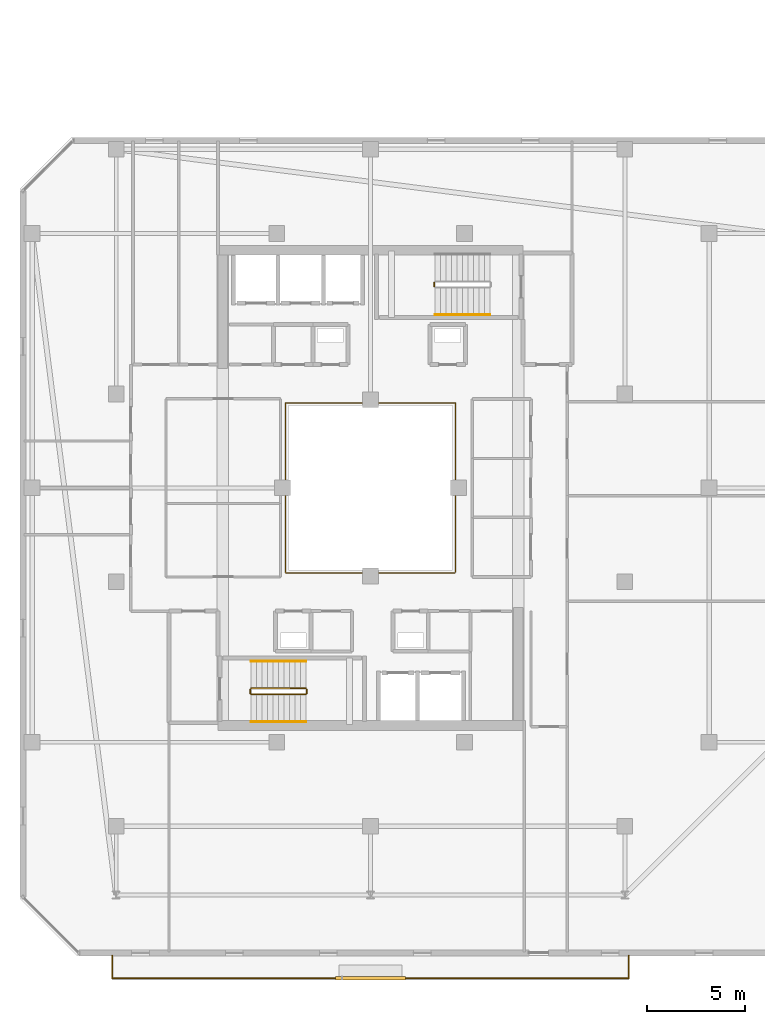
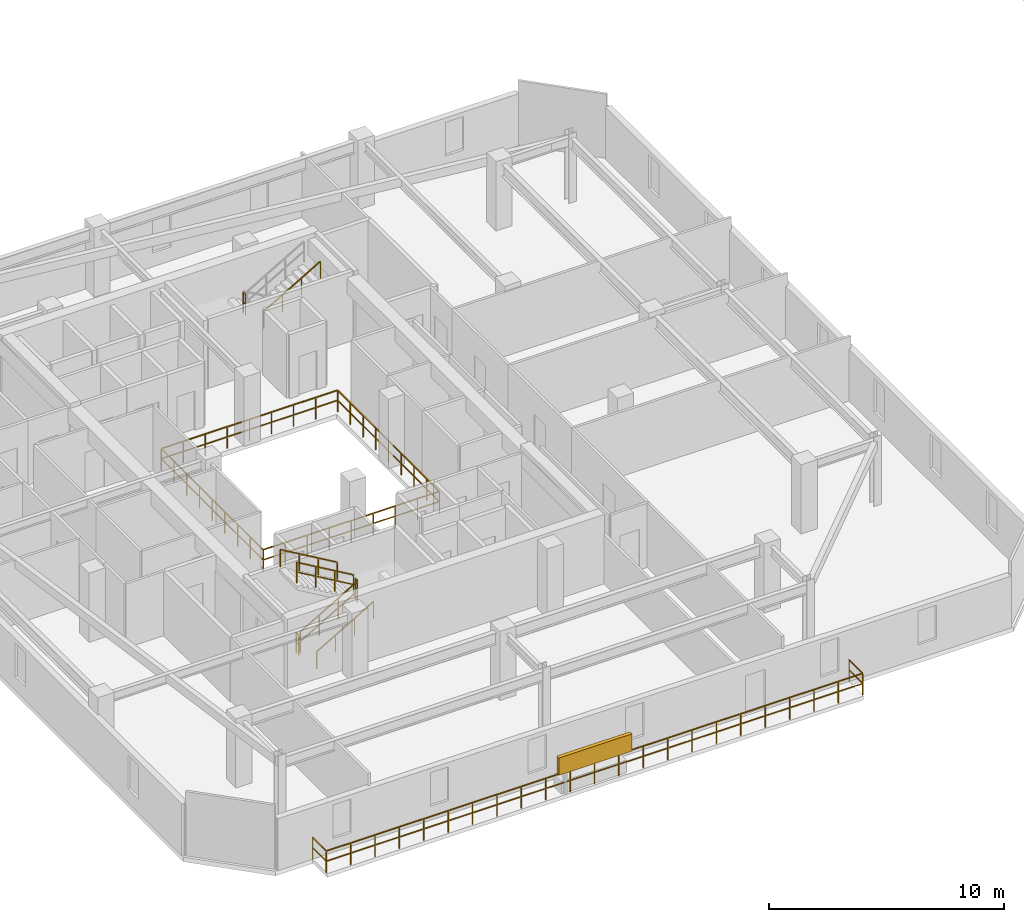
# One storey, part 32 of 35: 10 railings, 1 shading device.
"""IFC4 building model written with IfcOpenShell, lengths in metres."""

from ifc_helpers import new_model, si_unit, direction, frame, origin, origin_2d, place, context, subcontext, project, spatial, rectangle, extrude, material, type_object, element, save


model = new_model("IFC4")

# Units and contexts
model_context = context("Model", 3, precision=1e-05, world=origin(), true_north=direction((0.0, 1.0)))
body_context = subcontext(model_context, "Body", "Model", "MODEL_VIEW")
ifc_project = project(units=[si_unit("LENGTHUNIT", "METRE"), si_unit("AREAUNIT", "SQUARE_METRE"), si_unit("VOLUMEUNIT", "CUBIC_METRE"), si_unit("PLANEANGLEUNIT", "RADIAN"), si_unit("MASSUNIT", "GRAM", prefix="KILO")], contexts=[model_context])

# Site, building, storey
site_placement = place(None, origin())
site = spatial("IfcSite", under=ifc_project, at=site_placement, CompositionType="ELEMENT")
building_placement = place(site_placement, origin())
building = spatial("IfcBuilding", under=site, at=building_placement, Name="Thornwick Lancets Civic Towers", CompositionType="ELEMENT")
storey_placement = place(building_placement, frame((0.0, 0.0, 272.699951171875)))
storey = spatial("IfcBuildingStorey", under=building, at=storey_placement, Name="L73", CompositionType="ELEMENT", Elevation=272.699951171875)

# Railings
ifc_material_1 = material(Name="Laminated glass and bronze steel S355", Category="steel")
railing_type_1 = type_object("IfcRailingType", Name="RAIL_ATRIUM_GUARD", PredefinedType="BALUSTRADE", material=ifc_material_1)
railing_1_placement = place(storey_placement, frame((21.159912109375, 22.659912109375, 0.0)))
element("IfcRailing", 1, at=railing_1_placement, inside=storey, type_object=railing_type_1, Name="L73 Tower A Central Atrium Guard Balustrade", PredefinedType="BALUSTRADE", context=body_context, shape_type="SweptSolid", body=[
    extrude(rectangle(XDim=0.048095703125, YDim=0.048095703125, at=origin_2d()), frame((0.0, 0.0, 1.1259765625), z_axis=(1.0, 0.0, 0.0), x_axis=(0.0, 1.0, 0.0)), (0.0, 0.0, 1.0), 8.64892578125),
    extrude(rectangle(XDim=0.0419921875, YDim=0.0419921875, at=origin_2d()), frame((0.03759765625, 0.0, 0.597900390625), z_axis=(1.0, 0.0, 0.0), x_axis=(0.0, 1.0, 0.0)), (0.0, 0.0, 1.0), 1.010009765625),
    extrude(rectangle(XDim=0.0419921875, YDim=0.0419921875, at=origin_2d()), frame((1.12255859375, 0.0, 0.597900390625), z_axis=(1.0, 0.0, 0.0), x_axis=(0.0, 1.0, 0.0)), (0.0, 0.0, 1.0), 1.010009765625),
    extrude(rectangle(XDim=0.0419921875, YDim=0.0419921875, at=origin_2d()), frame((2.20751953125, 0.0, 0.597900390625), z_axis=(1.0, 0.0, 0.0), x_axis=(0.0, 1.0, 0.0)), (0.0, 0.0, 1.0), 1.010009765625),
    extrude(rectangle(XDim=0.0419921875, YDim=0.0419921875, at=origin_2d()), frame((3.29248046875, 0.0, 0.597900390625), z_axis=(1.0, 0.0, 0.0), x_axis=(0.0, 1.0, 0.0)), (0.0, 0.0, 1.0), 1.010009765625),
    extrude(rectangle(XDim=0.0419921875, YDim=0.0419921875, at=origin_2d()), frame((4.377685546875, 0.0, 0.597900390625), z_axis=(1.0, 0.0, 0.0), x_axis=(0.0, 1.0, 0.0)), (0.0, 0.0, 1.0), 1.010009765625),
    extrude(rectangle(XDim=0.0419921875, YDim=0.0419921875, at=origin_2d()), frame((5.462646484375, 0.0, 0.597900390625), z_axis=(1.0, 0.0, 0.0), x_axis=(0.0, 1.0, 0.0)), (0.0, 0.0, 1.0), 1.010009765625),
    extrude(rectangle(XDim=0.0419921875, YDim=0.0419921875, at=origin_2d()), frame((6.547607421875, 0.0, 0.597900390625), z_axis=(1.0, 0.0, 0.0), x_axis=(0.0, 1.0, 0.0)), (0.0, 0.0, 1.0), 1.010009765625),
    extrude(rectangle(XDim=0.0419921875, YDim=0.0419921875, at=origin_2d()), frame((7.632568359375, 0.0, 0.597900390625), z_axis=(1.0, 0.0, 0.0), x_axis=(0.0, 1.0, 0.0)), (0.0, 0.0, 1.0), 1.010009765625),
    extrude(rectangle(XDim=0.048095703125, YDim=0.048095703125, at=origin_2d()), frame((8.68017578125, 0.03125, 1.1259765625), z_axis=(0.0, 1.0, 0.0), x_axis=(-1.0, 0.0, 0.0)), (0.0, 0.0, 1.0), 8.61767578125),
    extrude(rectangle(XDim=0.0419921875, YDim=0.0419921875, at=origin_2d()), frame((8.68017578125, 0.03759765625, 0.597900390625), z_axis=(0.0, 1.0, 0.0), x_axis=(-1.0, 0.0, 0.0)), (0.0, 0.0, 1.0), 1.010009765625),
    extrude(rectangle(XDim=0.0419921875, YDim=0.0419921875, at=origin_2d()), frame((8.68017578125, 1.12255859375, 0.597900390625), z_axis=(0.0, 1.0, 0.0), x_axis=(-1.0, 0.0, 0.0)), (0.0, 0.0, 1.0), 1.010009765625),
    extrude(rectangle(XDim=0.0419921875, YDim=0.0419921875, at=origin_2d()), frame((8.68017578125, 2.20751953125, 0.597900390625), z_axis=(0.0, 1.0, 0.0), x_axis=(-1.0, 0.0, 0.0)), (0.0, 0.0, 1.0), 1.010009765625),
    extrude(rectangle(XDim=0.0419921875, YDim=0.0419921875, at=origin_2d()), frame((8.68017578125, 3.29248046875, 0.597900390625), z_axis=(0.0, 1.0, 0.0), x_axis=(-1.0, 0.0, 0.0)), (0.0, 0.0, 1.0), 1.010009765625),
    extrude(rectangle(XDim=0.0419921875, YDim=0.0419921875, at=origin_2d()), frame((8.68017578125, 4.377685546875, 0.597900390625), z_axis=(0.0, 1.0, 0.0), x_axis=(-1.0, 0.0, 0.0)), (0.0, 0.0, 1.0), 1.010009765625),
    extrude(rectangle(XDim=0.0419921875, YDim=0.0419921875, at=origin_2d()), frame((8.68017578125, 5.462646484375, 0.597900390625), z_axis=(0.0, 1.0, 0.0), x_axis=(-1.0, 0.0, 0.0)), (0.0, 0.0, 1.0), 1.010009765625),
    extrude(rectangle(XDim=0.0419921875, YDim=0.0419921875, at=origin_2d()), frame((8.68017578125, 6.547607421875, 0.597900390625), z_axis=(0.0, 1.0, 0.0), x_axis=(-1.0, 0.0, 0.0)), (0.0, 0.0, 1.0), 1.010009765625),
    extrude(rectangle(XDim=0.0419921875, YDim=0.0419921875, at=origin_2d()), frame((8.68017578125, 7.632568359375, 0.597900390625), z_axis=(0.0, 1.0, 0.0), x_axis=(-1.0, 0.0, 0.0)), (0.0, 0.0, 1.0), 1.010009765625),
    extrude(rectangle(XDim=0.048095703125, YDim=0.048095703125, at=origin_2d()), frame((8.64892578125, 8.68017578125, 1.1259765625), z_axis=(-1.0, 0.0, 0.0), x_axis=(0.0, -1.0, 0.0)), (0.0, 0.0, 1.0), 8.61767578125),
    extrude(rectangle(XDim=0.0419921875, YDim=0.0419921875, at=origin_2d()), frame((8.642578125, 8.68017578125, 0.597900390625), z_axis=(-1.0, 0.0, 0.0), x_axis=(0.0, -1.0, 0.0)), (0.0, 0.0, 1.0), 1.010009765625),
    extrude(rectangle(XDim=0.0419921875, YDim=0.0419921875, at=origin_2d()), frame((7.5576171875, 8.68017578125, 0.597900390625), z_axis=(-1.0, 0.0, 0.0), x_axis=(0.0, -1.0, 0.0)), (0.0, 0.0, 1.0), 1.010009765625),
    extrude(rectangle(XDim=0.0419921875, YDim=0.0419921875, at=origin_2d()), frame((6.47265625, 8.68017578125, 0.597900390625), z_axis=(-1.0, 0.0, 0.0), x_axis=(0.0, -1.0, 0.0)), (0.0, 0.0, 1.0), 1.010009765625),
    extrude(rectangle(XDim=0.0419921875, YDim=0.0419921875, at=origin_2d()), frame((5.3876953125, 8.68017578125, 0.597900390625), z_axis=(-1.0, 0.0, 0.0), x_axis=(0.0, -1.0, 0.0)), (0.0, 0.0, 1.0), 1.010009765625),
    extrude(rectangle(XDim=0.0419921875, YDim=0.0419921875, at=origin_2d()), frame((4.302490234375, 8.68017578125, 0.597900390625), z_axis=(-1.0, 0.0, 0.0), x_axis=(0.0, -1.0, 0.0)), (0.0, 0.0, 1.0), 1.010009765625),
    extrude(rectangle(XDim=0.0419921875, YDim=0.0419921875, at=origin_2d()), frame((3.217529296875, 8.68017578125, 0.597900390625), z_axis=(-1.0, 0.0, 0.0), x_axis=(0.0, -1.0, 0.0)), (0.0, 0.0, 1.0), 1.010009765625),
    extrude(rectangle(XDim=0.0419921875, YDim=0.0419921875, at=origin_2d()), frame((2.132568359375, 8.68017578125, 0.597900390625), z_axis=(-1.0, 0.0, 0.0), x_axis=(0.0, -1.0, 0.0)), (0.0, 0.0, 1.0), 1.010009765625),
    extrude(rectangle(XDim=0.0419921875, YDim=0.0419921875, at=origin_2d()), frame((1.047607421875, 8.68017578125, 0.597900390625), z_axis=(-1.0, 0.0, 0.0), x_axis=(0.0, -1.0, 0.0)), (0.0, 0.0, 1.0), 1.010009765625),
    extrude(rectangle(XDim=0.048095703125, YDim=0.048095703125, at=origin_2d()), frame((0.0, 8.64892578125, 1.1259765625), z_axis=(0.0, -1.0, 0.0), x_axis=(1.0, 0.0, 0.0)), (0.0, 0.0, 1.0), 8.64892578125),
    extrude(rectangle(XDim=0.0419921875, YDim=0.0419921875, at=origin_2d()), frame((0.0, 8.642578125, 0.597900390625), z_axis=(0.0, -1.0, 0.0), x_axis=(1.0, 0.0, 0.0)), (0.0, 0.0, 1.0), 1.010009765625),
    extrude(rectangle(XDim=0.0419921875, YDim=0.0419921875, at=origin_2d()), frame((0.0, 7.5576171875, 0.597900390625), z_axis=(0.0, -1.0, 0.0), x_axis=(1.0, 0.0, 0.0)), (0.0, 0.0, 1.0), 1.010009765625),
    extrude(rectangle(XDim=0.0419921875, YDim=0.0419921875, at=origin_2d()), frame((0.0, 6.47265625, 0.597900390625), z_axis=(0.0, -1.0, 0.0), x_axis=(1.0, 0.0, 0.0)), (0.0, 0.0, 1.0), 1.010009765625),
    extrude(rectangle(XDim=0.0419921875, YDim=0.0419921875, at=origin_2d()), frame((0.0, 5.3876953125, 0.597900390625), z_axis=(0.0, -1.0, 0.0), x_axis=(1.0, 0.0, 0.0)), (0.0, 0.0, 1.0), 1.010009765625),
    extrude(rectangle(XDim=0.0419921875, YDim=0.0419921875, at=origin_2d()), frame((0.0, 4.302490234375, 0.597900390625), z_axis=(0.0, -1.0, 0.0), x_axis=(1.0, 0.0, 0.0)), (0.0, 0.0, 1.0), 1.010009765625),
    extrude(rectangle(XDim=0.0419921875, YDim=0.0419921875, at=origin_2d()), frame((0.0, 3.217529296875, 0.597900390625), z_axis=(0.0, -1.0, 0.0), x_axis=(1.0, 0.0, 0.0)), (0.0, 0.0, 1.0), 1.010009765625),
    extrude(rectangle(XDim=0.0419921875, YDim=0.0419921875, at=origin_2d()), frame((0.0, 2.132568359375, 0.597900390625), z_axis=(0.0, -1.0, 0.0), x_axis=(1.0, 0.0, 0.0)), (0.0, 0.0, 1.0), 1.010009765625),
    extrude(rectangle(XDim=0.0419921875, YDim=0.0419921875, at=origin_2d()), frame((0.0, 1.047607421875, 0.597900390625), z_axis=(0.0, -1.0, 0.0), x_axis=(1.0, 0.0, 0.0)), (0.0, 0.0, 1.0), 1.010009765625),
    extrude(rectangle(XDim=0.0419921875, YDim=0.0419921875, at=origin_2d()), origin(), (0.0, 0.0, 1.0), 1.095703125),
    extrude(rectangle(XDim=0.0419921875, YDim=0.0419921875, at=origin_2d()), frame((1.0849609375, 0.0, 0.0)), (0.0, 0.0, 1.0), 1.095703125),
    extrude(rectangle(XDim=0.0419921875, YDim=0.0419921875, at=origin_2d()), frame((2.169921875, 0.0, 0.0)), (0.0, 0.0, 1.0), 1.095703125),
    extrude(rectangle(XDim=0.0419921875, YDim=0.0419921875, at=origin_2d()), frame((3.255126953125, 0.0, 0.0)), (0.0, 0.0, 1.0), 1.095703125),
    extrude(rectangle(XDim=0.0419921875, YDim=0.0419921875, at=origin_2d()), frame((4.340087890625, 0.0, 0.0)), (0.0, 0.0, 1.0), 1.095703125),
    extrude(rectangle(XDim=0.0419921875, YDim=0.0419921875, at=origin_2d()), frame((5.425048828125, 0.0, 0.0)), (0.0, 0.0, 1.0), 1.095703125),
    extrude(rectangle(XDim=0.0419921875, YDim=0.0419921875, at=origin_2d()), frame((6.51025390625, 0.0, 0.0)), (0.0, 0.0, 1.0), 1.095703125),
    extrude(rectangle(XDim=0.0419921875, YDim=0.0419921875, at=origin_2d()), frame((7.59521484375, 0.0, 0.0)), (0.0, 0.0, 1.0), 1.095703125),
    extrude(rectangle(XDim=0.0419921875, YDim=0.0419921875, at=origin_2d()), frame((8.68017578125, 0.0, 0.0)), (0.0, 0.0, 1.0), 1.095703125),
    extrude(rectangle(XDim=0.0419921875, YDim=0.0419921875, at=origin_2d()), frame((8.68017578125, 1.0849609375, 0.0)), (0.0, 0.0, 1.0), 1.095703125),
    extrude(rectangle(XDim=0.0419921875, YDim=0.0419921875, at=origin_2d()), frame((8.68017578125, 2.169921875, 0.0)), (0.0, 0.0, 1.0), 1.095703125),
    extrude(rectangle(XDim=0.0419921875, YDim=0.0419921875, at=origin_2d()), frame((8.68017578125, 3.255126953125, 0.0)), (0.0, 0.0, 1.0), 1.095703125),
    extrude(rectangle(XDim=0.0419921875, YDim=0.0419921875, at=origin_2d()), frame((8.68017578125, 4.340087890625, 0.0)), (0.0, 0.0, 1.0), 1.095703125),
    extrude(rectangle(XDim=0.0419921875, YDim=0.0419921875, at=origin_2d()), frame((8.68017578125, 5.425048828125, 0.0)), (0.0, 0.0, 1.0), 1.095703125),
    extrude(rectangle(XDim=0.0419921875, YDim=0.0419921875, at=origin_2d()), frame((8.68017578125, 6.51025390625, 0.0)), (0.0, 0.0, 1.0), 1.095703125),
    extrude(rectangle(XDim=0.0419921875, YDim=0.0419921875, at=origin_2d()), frame((8.68017578125, 7.59521484375, 0.0)), (0.0, 0.0, 1.0), 1.095703125),
    extrude(rectangle(XDim=0.0419921875, YDim=0.0419921875, at=origin_2d()), frame((8.68017578125, 8.68017578125, 0.0)), (0.0, 0.0, 1.0), 1.095703125),
    extrude(rectangle(XDim=0.0419921875, YDim=0.0419921875, at=origin_2d()), frame((7.59521484375, 8.68017578125, 0.0)), (0.0, 0.0, 1.0), 1.095703125),
    extrude(rectangle(XDim=0.0419921875, YDim=0.0419921875, at=origin_2d()), frame((6.51025390625, 8.68017578125, 0.0)), (0.0, 0.0, 1.0), 1.095703125),
    extrude(rectangle(XDim=0.0419921875, YDim=0.0419921875, at=origin_2d()), frame((5.425048828125, 8.68017578125, 0.0)), (0.0, 0.0, 1.0), 1.095703125),
    extrude(rectangle(XDim=0.0419921875, YDim=0.0419921875, at=origin_2d()), frame((4.340087890625, 8.68017578125, 0.0)), (0.0, 0.0, 1.0), 1.095703125),
    extrude(rectangle(XDim=0.0419921875, YDim=0.0419921875, at=origin_2d()), frame((3.255126953125, 8.68017578125, 0.0)), (0.0, 0.0, 1.0), 1.095703125),
    extrude(rectangle(XDim=0.0419921875, YDim=0.0419921875, at=origin_2d()), frame((2.169921875, 8.68017578125, 0.0)), (0.0, 0.0, 1.0), 1.095703125),
    extrude(rectangle(XDim=0.0419921875, YDim=0.0419921875, at=origin_2d()), frame((1.0849609375, 8.68017578125, 0.0)), (0.0, 0.0, 1.0), 1.095703125),
    extrude(rectangle(XDim=0.0419921875, YDim=0.0419921875, at=origin_2d()), frame((0.0, 8.68017578125, 0.0)), (0.0, 0.0, 1.0), 1.095703125),
    extrude(rectangle(XDim=0.0419921875, YDim=0.0419921875, at=origin_2d()), frame((0.0, 7.59521484375, 0.0)), (0.0, 0.0, 1.0), 1.095703125),
    extrude(rectangle(XDim=0.0419921875, YDim=0.0419921875, at=origin_2d()), frame((0.0, 6.51025390625, 0.0)), (0.0, 0.0, 1.0), 1.095703125),
    extrude(rectangle(XDim=0.0419921875, YDim=0.0419921875, at=origin_2d()), frame((0.0, 5.425048828125, 0.0)), (0.0, 0.0, 1.0), 1.095703125),
    extrude(rectangle(XDim=0.0419921875, YDim=0.0419921875, at=origin_2d()), frame((0.0, 4.340087890625, 0.0)), (0.0, 0.0, 1.0), 1.095703125),
    extrude(rectangle(XDim=0.0419921875, YDim=0.0419921875, at=origin_2d()), frame((0.0, 3.255126953125, 0.0)), (0.0, 0.0, 1.0), 1.095703125),
    extrude(rectangle(XDim=0.0419921875, YDim=0.0419921875, at=origin_2d()), frame((0.0, 2.169921875, 0.0)), (0.0, 0.0, 1.0), 1.095703125),
    extrude(rectangle(XDim=0.0419921875, YDim=0.0419921875, at=origin_2d()), frame((0.0, 1.0849609375, 0.0)), (0.0, 0.0, 1.0), 1.095703125),
])
ifc_material_2 = material(Name="Brushed stainless steel S355", Category="steel")
railing_type_2 = type_object("IfcRailingType", Name="RAIL_HANDRAIL", PredefinedType="HANDRAIL", material=ifc_material_2)
railing_2_placement = place(storey_placement, frame((19.39990234375, 15.050048828125, 0.16357421875)))
element("IfcRailing", 2, at=railing_2_placement, inside=storey, type_object=railing_type_2, Name="L73 ST-A1 stair handrail 1", PredefinedType="HANDRAIL", context=body_context, shape_type="SweptSolid", body=[
    extrude(rectangle(XDim=0.048095703125, YDim=0.048095703125, at=origin_2d()), frame((0.0, 0.0, 0.8857421875), z_axis=(0.863360870873, 0.0, 0.504586966384), x_axis=(0.0, 1.0, 0.0)), (0.0, 0.0, 1.0), 3.2431640625),
    extrude(rectangle(XDim=0.0419921875, YDim=0.0419921875, at=origin_2d()), origin(), (0.0, 0.0, 1.0), 0.855712890625),
    extrude(rectangle(XDim=0.0419921875, YDim=0.0419921875, at=origin_2d()), frame((0.933349609375, 0.0, 0.54541015625)), (0.0, 0.0, 1.0), 0.855712890625),
    extrude(rectangle(XDim=0.0419921875, YDim=0.0419921875, at=origin_2d()), frame((1.86669921875, 0.0, 1.091064453125)), (0.0, 0.0, 1.0), 0.855712890625),
    extrude(rectangle(XDim=0.0419921875, YDim=0.0419921875, at=origin_2d()), frame((2.800048828125, 0.0, 1.636474609375)), (0.0, 0.0, 1.0), 0.855712890625),
])
railing_3_placement = place(storey_placement, frame((22.199951171875, 18.14990234375, 1.963623046875)))
element("IfcRailing", 3, at=railing_3_placement, inside=storey, type_object=railing_type_2, Name="L73 ST-A1 stair handrail 2", PredefinedType="HANDRAIL", context=body_context, shape_type="SweptSolid", body=[
    extrude(rectangle(XDim=0.048095703125, YDim=0.048095703125, at=origin_2d()), frame((0.0, 0.0, 0.8857421875), z_axis=(-0.863360870873, 0.0, 0.504586966384), x_axis=(0.0, -1.0, 0.0)), (0.0, 0.0, 1.0), 3.2431640625),
    extrude(rectangle(XDim=0.0419921875, YDim=0.0419921875, at=origin_2d()), origin(), (0.0, 0.0, 1.0), 0.855712890625),
    extrude(rectangle(XDim=0.0419921875, YDim=0.0419921875, at=origin_2d()), frame((-0.933349609375, 0.0, 0.54541015625)), (0.0, 0.0, 1.0), 0.855712890625),
    extrude(rectangle(XDim=0.0419921875, YDim=0.0419921875, at=origin_2d()), frame((-1.86669921875, 0.0, 1.091064453125)), (0.0, 0.0, 1.0), 0.855712890625),
    extrude(rectangle(XDim=0.0419921875, YDim=0.0419921875, at=origin_2d()), frame((-2.800048828125, 0.0, 1.636474609375)), (0.0, 0.0, 1.0), 0.855712890625),
])
railing_4_placement = place(storey_placement, frame((28.800048828125, 35.85009765625, 1.963623046875)))
element("IfcRailing", 4, at=railing_4_placement, inside=storey, type_object=railing_type_2, Name="L73 ST-A2 stair handrail 2", PredefinedType="HANDRAIL", context=body_context, shape_type="SweptSolid", body=[
    extrude(rectangle(XDim=0.048095703125, YDim=0.048095703125, at=origin_2d()), frame((0.0, 0.0, 0.8857421875), z_axis=(0.863360870873, 0.0, 0.504586966384), x_axis=(0.0, 1.0, 0.0)), (0.0, 0.0, 1.0), 3.2431640625),
    extrude(rectangle(XDim=0.0419921875, YDim=0.0419921875, at=origin_2d()), origin(), (0.0, 0.0, 1.0), 0.855712890625),
    extrude(rectangle(XDim=0.0419921875, YDim=0.0419921875, at=origin_2d()), frame((0.933349609375, 0.0, 0.54541015625)), (0.0, 0.0, 1.0), 0.855712890625),
    extrude(rectangle(XDim=0.0419921875, YDim=0.0419921875, at=origin_2d()), frame((1.86669921875, 0.0, 1.091064453125)), (0.0, 0.0, 1.0), 0.855712890625),
    extrude(rectangle(XDim=0.0419921875, YDim=0.0419921875, at=origin_2d()), frame((2.800048828125, 0.0, 1.636474609375)), (0.0, 0.0, 1.0), 0.855712890625),
])
ifc_material_3 = material(Name="Steel S355JR", Category="steel")
railing_type_3 = type_object("IfcRailingType", Name="RAIL_STAIR_GUARD", PredefinedType="GUARDRAIL", material=ifc_material_3)
railing_5_placement = place(storey_placement, frame((19.39990234375, 16.449951171875, 0.16357421875)))
element("IfcRailing", 5, at=railing_5_placement, inside=storey, type_object=railing_type_3, Name="L73 ST-A1 stair guard 1", PredefinedType="GUARDRAIL", context=body_context, shape_type="SweptSolid", body=[
    extrude(rectangle(XDim=0.048095703125, YDim=0.048095703125, at=origin_2d()), frame((0.0, 0.0, 1.076171875), z_axis=(0.863360870873, 0.0, 0.504586966384), x_axis=(0.0, 1.0, 0.0)), (0.0, 0.0, 1.0), 3.2431640625),
    extrude(rectangle(XDim=0.0419921875, YDim=0.0419921875, at=origin_2d()), frame((0.032470703125, 0.0, 0.591064453125), z_axis=(0.863360870873, 0.0, 0.504586966384), x_axis=(0.0, 1.0, 0.0)), (0.0, 0.0, 1.0), 1.006103515625),
    extrude(rectangle(XDim=0.0419921875, YDim=0.0419921875, at=origin_2d()), frame((0.9658203125, 0.0, 1.136474609375), z_axis=(0.863360870873, 0.0, 0.504586966384), x_axis=(0.0, 1.0, 0.0)), (0.0, 0.0, 1.0), 1.006103515625),
    extrude(rectangle(XDim=0.0419921875, YDim=0.0419921875, at=origin_2d()), frame((1.899169921875, 0.0, 1.681884765625), z_axis=(0.863360870873, 0.0, 0.504586966384), x_axis=(0.0, 1.0, 0.0)), (0.0, 0.0, 1.0), 1.006103515625),
    extrude(rectangle(XDim=0.0419921875, YDim=0.0419921875, at=origin_2d()), origin(), (0.0, 0.0, 1.0), 1.0458984375),
    extrude(rectangle(XDim=0.0419921875, YDim=0.0419921875, at=origin_2d()), frame((0.933349609375, 0.0, 0.54541015625)), (0.0, 0.0, 1.0), 1.0458984375),
    extrude(rectangle(XDim=0.0419921875, YDim=0.0419921875, at=origin_2d()), frame((1.86669921875, 0.0, 1.091064453125)), (0.0, 0.0, 1.0), 1.0458984375),
    extrude(rectangle(XDim=0.0419921875, YDim=0.0419921875, at=origin_2d()), frame((2.800048828125, 0.0, 1.636474609375)), (0.0, 0.0, 1.0), 1.0458984375),
])
railing_6_placement = place(storey_placement, frame((22.25, 16.5, 1.800048828125)))
element("IfcRailing", 6, at=railing_6_placement, inside=storey, type_object=railing_type_3, Name="L73 ST-A1 stair guard 2", PredefinedType="GUARDRAIL", context=body_context, shape_type="SweptSolid", body=[
    extrude(rectangle(XDim=0.048095703125, YDim=0.048095703125, at=origin_2d()), frame((0.0, 0.0, 1.076171875), z_axis=(0.0, 1.0, 0.0), x_axis=(-1.0, 0.0, 0.0)), (0.0, 0.0, 1.0), 0.199951171875),
    extrude(rectangle(XDim=0.0419921875, YDim=0.0419921875, at=origin_2d()), frame((0.0, 0.03759765625, 0.572021484375), z_axis=(0.0, 1.0, 0.0), x_axis=(-1.0, 0.0, 0.0)), (0.0, 0.0, 1.0), 0.125),
    extrude(rectangle(XDim=0.0419921875, YDim=0.0419921875, at=origin_2d()), origin(), (0.0, 0.0, 1.0), 1.0458984375),
    extrude(rectangle(XDim=0.0419921875, YDim=0.0419921875, at=origin_2d()), frame((0.0, 0.199951171875, 0.0)), (0.0, 0.0, 1.0), 1.0458984375),
])
railing_7_placement = place(storey_placement, frame((22.199951171875, 16.75, 1.963623046875)))
element("IfcRailing", 7, at=railing_7_placement, inside=storey, type_object=railing_type_3, Name="L73 ST-A1 stair guard 3", PredefinedType="GUARDRAIL", context=body_context, shape_type="SweptSolid", body=[
    extrude(rectangle(XDim=0.048095703125, YDim=0.048095703125, at=origin_2d()), frame((0.0, 0.0, 1.076171875), z_axis=(-0.863360870873, 0.0, 0.504586966384), x_axis=(0.0, -1.0, 0.0)), (0.0, 0.0, 1.0), 3.2431640625),
    extrude(rectangle(XDim=0.0419921875, YDim=0.0419921875, at=origin_2d()), frame((-0.032470703125, 0.0, 0.591064453125), z_axis=(-0.863360870873, 0.0, 0.504586966384), x_axis=(0.0, -1.0, 0.0)), (0.0, 0.0, 1.0), 1.006103515625),
    extrude(rectangle(XDim=0.0419921875, YDim=0.0419921875, at=origin_2d()), frame((-0.9658203125, 0.0, 1.136474609375), z_axis=(-0.863360870873, 0.0, 0.504586966384), x_axis=(0.0, -1.0, 0.0)), (0.0, 0.0, 1.0), 1.006103515625),
    extrude(rectangle(XDim=0.0419921875, YDim=0.0419921875, at=origin_2d()), frame((-1.899169921875, 0.0, 1.681884765625), z_axis=(-0.863360870873, 0.0, 0.504586966384), x_axis=(0.0, -1.0, 0.0)), (0.0, 0.0, 1.0), 1.006103515625),
    extrude(rectangle(XDim=0.0419921875, YDim=0.0419921875, at=origin_2d()), origin(), (0.0, 0.0, 1.0), 1.0458984375),
    extrude(rectangle(XDim=0.0419921875, YDim=0.0419921875, at=origin_2d()), frame((-0.933349609375, 0.0, 0.54541015625)), (0.0, 0.0, 1.0), 1.0458984375),
    extrude(rectangle(XDim=0.0419921875, YDim=0.0419921875, at=origin_2d()), frame((-1.86669921875, 0.0, 1.091064453125)), (0.0, 0.0, 1.0), 1.0458984375),
    extrude(rectangle(XDim=0.0419921875, YDim=0.0419921875, at=origin_2d()), frame((-2.800048828125, 0.0, 1.636474609375)), (0.0, 0.0, 1.0), 1.0458984375),
])
railing_8_placement = place(storey_placement, frame((19.35009765625, 16.5, 0.0)))
element("IfcRailing", 8, at=railing_8_placement, inside=storey, type_object=railing_type_3, Name="L73 ST-A1 stair guard 4", PredefinedType="GUARDRAIL", context=body_context, shape_type="SweptSolid", body=[
    extrude(rectangle(XDim=0.048095703125, YDim=0.048095703125, at=origin_2d()), frame((0.0, 0.0, 1.076171875), z_axis=(0.0, 1.0, 0.0), x_axis=(-1.0, 0.0, 0.0)), (0.0, 0.0, 1.0), 0.199951171875),
    extrude(rectangle(XDim=0.0419921875, YDim=0.0419921875, at=origin_2d()), frame((0.0, 0.03759765625, 0.572021484375), z_axis=(0.0, 1.0, 0.0), x_axis=(-1.0, 0.0, 0.0)), (0.0, 0.0, 1.0), 0.125),
    extrude(rectangle(XDim=0.0419921875, YDim=0.0419921875, at=origin_2d()), origin(), (0.0, 0.0, 1.0), 1.0458984375),
    extrude(rectangle(XDim=0.0419921875, YDim=0.0419921875, at=origin_2d()), frame((0.0, 0.199951171875, 0.0)), (0.0, 0.0, 1.0), 1.0458984375),
])
railing_9_placement = place(storey_placement, frame((28.75, 37.5, 1.800048828125)))
element("IfcRailing", 9, at=railing_9_placement, inside=storey, type_object=railing_type_3, Name="L73 ST-A2 stair guard 2", PredefinedType="GUARDRAIL", context=body_context, shape_type="SweptSolid", body=[
    extrude(rectangle(XDim=0.048095703125, YDim=0.048095703125, at=origin_2d()), frame((0.0, 0.0, 1.076171875), z_axis=(0.0, -1.0, 0.0), x_axis=(1.0, 0.0, 0.0)), (0.0, 0.0, 1.0), 0.199951171875),
    extrude(rectangle(XDim=0.0419921875, YDim=0.0419921875, at=origin_2d()), frame((0.0, -0.03759765625, 0.572021484375), z_axis=(0.0, -1.0, 0.0), x_axis=(1.0, 0.0, 0.0)), (0.0, 0.0, 1.0), 0.125),
    extrude(rectangle(XDim=0.0419921875, YDim=0.0419921875, at=origin_2d()), origin(), (0.0, 0.0, 1.0), 1.0458984375),
    extrude(rectangle(XDim=0.0419921875, YDim=0.0419921875, at=origin_2d()), frame((0.0, -0.199951171875, 0.0)), (0.0, 0.0, 1.0), 1.0458984375),
])
ifc_material_4 = material(Name="Terracotta-capped laminated glass balustrade S355", Category="masonry")
railing_type_4 = type_object("IfcRailingType", Name="RAIL_TERR_GUARD", PredefinedType="GUARDRAIL", material=ifc_material_4)
railing_10_placement = place(storey_placement, frame((12.300048828125, 3.10009765625, 0.0)))
element("IfcRailing", 10, at=railing_10_placement, inside=storey, type_object=railing_type_4, Name="L73 Tower A Balcony Guard S", PredefinedType="GUARDRAIL", context=body_context, shape_type="SweptSolid", body=[
    extrude(rectangle(XDim=0.048095703125, YDim=0.048095703125, at=origin_2d()), frame((0.0, 0.0, 1.1259765625), z_axis=(0.0, -1.0, 0.0), x_axis=(1.0, 0.0, 0.0)), (0.0, 0.0, 1.0), 1.138916015625),
    extrude(rectangle(XDim=0.0419921875, YDim=0.0419921875, at=origin_2d()), frame((0.0, -0.03759765625, 0.597900390625), z_axis=(0.0, -1.0, 0.0), x_axis=(1.0, 0.0, 0.0)), (0.0, 0.0, 1.0), 1.09521484375),
    extrude(rectangle(XDim=0.048095703125, YDim=0.048095703125, at=origin_2d()), frame((0.03125, -1.170166015625, 1.1259765625), z_axis=(1.0, 0.0, 0.0), x_axis=(0.0, 1.0, 0.0)), (0.0, 0.0, 1.0), 26.33740234375),
    extrude(rectangle(XDim=0.0419921875, YDim=0.0419921875, at=origin_2d()), frame((0.03759765625, -1.170166015625, 0.597900390625), z_axis=(1.0, 0.0, 0.0), x_axis=(0.0, 1.0, 0.0)), (0.0, 0.0, 1.0), 1.125),
    extrude(rectangle(XDim=0.0419921875, YDim=0.0419921875, at=origin_2d()), frame((1.237548828125, -1.170166015625, 0.597900390625), z_axis=(1.0, 0.0, 0.0), x_axis=(0.0, 1.0, 0.0)), (0.0, 0.0, 1.0), 1.125),
    extrude(rectangle(XDim=0.0419921875, YDim=0.0419921875, at=origin_2d()), frame((2.4375, -1.170166015625, 0.597900390625), z_axis=(1.0, 0.0, 0.0), x_axis=(0.0, 1.0, 0.0)), (0.0, 0.0, 1.0), 1.125),
    extrude(rectangle(XDim=0.0419921875, YDim=0.0419921875, at=origin_2d()), frame((3.637451171875, -1.170166015625, 0.597900390625), z_axis=(1.0, 0.0, 0.0), x_axis=(0.0, 1.0, 0.0)), (0.0, 0.0, 1.0), 1.125),
    extrude(rectangle(XDim=0.0419921875, YDim=0.0419921875, at=origin_2d()), frame((4.83740234375, -1.170166015625, 0.597900390625), z_axis=(1.0, 0.0, 0.0), x_axis=(0.0, 1.0, 0.0)), (0.0, 0.0, 1.0), 1.125),
    extrude(rectangle(XDim=0.0419921875, YDim=0.0419921875, at=origin_2d()), frame((6.037353515625, -1.170166015625, 0.597900390625), z_axis=(1.0, 0.0, 0.0), x_axis=(0.0, 1.0, 0.0)), (0.0, 0.0, 1.0), 1.125),
    extrude(rectangle(XDim=0.0419921875, YDim=0.0419921875, at=origin_2d()), frame((7.237548828125, -1.170166015625, 0.597900390625), z_axis=(1.0, 0.0, 0.0), x_axis=(0.0, 1.0, 0.0)), (0.0, 0.0, 1.0), 1.125),
    extrude(rectangle(XDim=0.0419921875, YDim=0.0419921875, at=origin_2d()), frame((8.4375, -1.170166015625, 0.597900390625), z_axis=(1.0, 0.0, 0.0), x_axis=(0.0, 1.0, 0.0)), (0.0, 0.0, 1.0), 1.125),
    extrude(rectangle(XDim=0.0419921875, YDim=0.0419921875, at=origin_2d()), frame((9.637451171875, -1.170166015625, 0.597900390625), z_axis=(1.0, 0.0, 0.0), x_axis=(0.0, 1.0, 0.0)), (0.0, 0.0, 1.0), 1.125),
    extrude(rectangle(XDim=0.0419921875, YDim=0.0419921875, at=origin_2d()), frame((10.83740234375, -1.170166015625, 0.597900390625), z_axis=(1.0, 0.0, 0.0), x_axis=(0.0, 1.0, 0.0)), (0.0, 0.0, 1.0), 1.125),
    extrude(rectangle(XDim=0.0419921875, YDim=0.0419921875, at=origin_2d()), frame((12.037353515625, -1.170166015625, 0.597900390625), z_axis=(1.0, 0.0, 0.0), x_axis=(0.0, 1.0, 0.0)), (0.0, 0.0, 1.0), 1.125),
    extrude(rectangle(XDim=0.0419921875, YDim=0.0419921875, at=origin_2d()), frame((13.237548828125, -1.170166015625, 0.597900390625), z_axis=(1.0, 0.0, 0.0), x_axis=(0.0, 1.0, 0.0)), (0.0, 0.0, 1.0), 1.125),
    extrude(rectangle(XDim=0.0419921875, YDim=0.0419921875, at=origin_2d()), frame((14.4375, -1.170166015625, 0.597900390625), z_axis=(1.0, 0.0, 0.0), x_axis=(0.0, 1.0, 0.0)), (0.0, 0.0, 1.0), 1.125),
    extrude(rectangle(XDim=0.0419921875, YDim=0.0419921875, at=origin_2d()), frame((15.637451171875, -1.170166015625, 0.597900390625), z_axis=(1.0, 0.0, 0.0), x_axis=(0.0, 1.0, 0.0)), (0.0, 0.0, 1.0), 1.125),
    extrude(rectangle(XDim=0.0419921875, YDim=0.0419921875, at=origin_2d()), frame((16.83740234375, -1.170166015625, 0.597900390625), z_axis=(1.0, 0.0, 0.0), x_axis=(0.0, 1.0, 0.0)), (0.0, 0.0, 1.0), 1.125),
    extrude(rectangle(XDim=0.0419921875, YDim=0.0419921875, at=origin_2d()), frame((18.037353515625, -1.170166015625, 0.597900390625), z_axis=(1.0, 0.0, 0.0), x_axis=(0.0, 1.0, 0.0)), (0.0, 0.0, 1.0), 1.125),
    extrude(rectangle(XDim=0.0419921875, YDim=0.0419921875, at=origin_2d()), frame((19.2373046875, -1.170166015625, 0.597900390625), z_axis=(1.0, 0.0, 0.0), x_axis=(0.0, 1.0, 0.0)), (0.0, 0.0, 1.0), 1.125),
    extrude(rectangle(XDim=0.0419921875, YDim=0.0419921875, at=origin_2d()), frame((20.4375, -1.170166015625, 0.597900390625), z_axis=(1.0, 0.0, 0.0), x_axis=(0.0, 1.0, 0.0)), (0.0, 0.0, 1.0), 1.125),
    extrude(rectangle(XDim=0.0419921875, YDim=0.0419921875, at=origin_2d()), frame((21.637451171875, -1.170166015625, 0.597900390625), z_axis=(1.0, 0.0, 0.0), x_axis=(0.0, 1.0, 0.0)), (0.0, 0.0, 1.0), 1.125),
    extrude(rectangle(XDim=0.0419921875, YDim=0.0419921875, at=origin_2d()), frame((22.83740234375, -1.170166015625, 0.597900390625), z_axis=(1.0, 0.0, 0.0), x_axis=(0.0, 1.0, 0.0)), (0.0, 0.0, 1.0), 1.125),
    extrude(rectangle(XDim=0.0419921875, YDim=0.0419921875, at=origin_2d()), frame((24.037353515625, -1.170166015625, 0.597900390625), z_axis=(1.0, 0.0, 0.0), x_axis=(0.0, 1.0, 0.0)), (0.0, 0.0, 1.0), 1.125),
    extrude(rectangle(XDim=0.0419921875, YDim=0.0419921875, at=origin_2d()), frame((25.2373046875, -1.170166015625, 0.597900390625), z_axis=(1.0, 0.0, 0.0), x_axis=(0.0, 1.0, 0.0)), (0.0, 0.0, 1.0), 1.125),
    extrude(rectangle(XDim=0.048095703125, YDim=0.048095703125, at=origin_2d()), frame((26.39990234375, -1.138916015625, 1.1259765625), z_axis=(0.0, 1.0, 0.0), x_axis=(-1.0, 0.0, 0.0)), (0.0, 0.0, 1.0), 1.138916015625),
    extrude(rectangle(XDim=0.0419921875, YDim=0.0419921875, at=origin_2d()), frame((26.39990234375, -1.132568359375, 0.597900390625), z_axis=(0.0, 1.0, 0.0), x_axis=(-1.0, 0.0, 0.0)), (0.0, 0.0, 1.0), 1.09521484375),
    extrude(rectangle(XDim=0.0419921875, YDim=0.0419921875, at=origin_2d()), origin(), (0.0, 0.0, 1.0), 1.095703125),
    extrude(rectangle(XDim=0.0419921875, YDim=0.0419921875, at=origin_2d()), frame((0.0, -1.170166015625, 0.0)), (0.0, 0.0, 1.0), 1.095703125),
    extrude(rectangle(XDim=0.0419921875, YDim=0.0419921875, at=origin_2d()), frame((1.199951171875, -1.170166015625, 0.0)), (0.0, 0.0, 1.0), 1.095703125),
    extrude(rectangle(XDim=0.0419921875, YDim=0.0419921875, at=origin_2d()), frame((2.39990234375, -1.170166015625, 0.0)), (0.0, 0.0, 1.0), 1.095703125),
    extrude(rectangle(XDim=0.0419921875, YDim=0.0419921875, at=origin_2d()), frame((3.60009765625, -1.170166015625, 0.0)), (0.0, 0.0, 1.0), 1.095703125),
    extrude(rectangle(XDim=0.0419921875, YDim=0.0419921875, at=origin_2d()), frame((4.800048828125, -1.170166015625, 0.0)), (0.0, 0.0, 1.0), 1.095703125),
    extrude(rectangle(XDim=0.0419921875, YDim=0.0419921875, at=origin_2d()), frame((6.0, -1.170166015625, 0.0)), (0.0, 0.0, 1.0), 1.095703125),
    extrude(rectangle(XDim=0.0419921875, YDim=0.0419921875, at=origin_2d()), frame((7.199951171875, -1.170166015625, 0.0)), (0.0, 0.0, 1.0), 1.095703125),
    extrude(rectangle(XDim=0.0419921875, YDim=0.0419921875, at=origin_2d()), frame((8.39990234375, -1.170166015625, 0.0)), (0.0, 0.0, 1.0), 1.095703125),
    extrude(rectangle(XDim=0.0419921875, YDim=0.0419921875, at=origin_2d()), frame((9.599853515625, -1.170166015625, 0.0)), (0.0, 0.0, 1.0), 1.095703125),
    extrude(rectangle(XDim=0.0419921875, YDim=0.0419921875, at=origin_2d()), frame((10.800048828125, -1.170166015625, 0.0)), (0.0, 0.0, 1.0), 1.095703125),
    extrude(rectangle(XDim=0.0419921875, YDim=0.0419921875, at=origin_2d()), frame((12.0, -1.170166015625, 0.0)), (0.0, 0.0, 1.0), 1.095703125),
    extrude(rectangle(XDim=0.0419921875, YDim=0.0419921875, at=origin_2d()), frame((13.199951171875, -1.170166015625, 0.0)), (0.0, 0.0, 1.0), 1.095703125),
    extrude(rectangle(XDim=0.0419921875, YDim=0.0419921875, at=origin_2d()), frame((14.39990234375, -1.170166015625, 0.0)), (0.0, 0.0, 1.0), 1.095703125),
    extrude(rectangle(XDim=0.0419921875, YDim=0.0419921875, at=origin_2d()), frame((15.599853515625, -1.170166015625, 0.0)), (0.0, 0.0, 1.0), 1.095703125),
    extrude(rectangle(XDim=0.0419921875, YDim=0.0419921875, at=origin_2d()), frame((16.800048828125, -1.170166015625, 0.0)), (0.0, 0.0, 1.0), 1.095703125),
    extrude(rectangle(XDim=0.0419921875, YDim=0.0419921875, at=origin_2d()), frame((18.0, -1.170166015625, 0.0)), (0.0, 0.0, 1.0), 1.095703125),
    extrude(rectangle(XDim=0.0419921875, YDim=0.0419921875, at=origin_2d()), frame((19.199951171875, -1.170166015625, 0.0)), (0.0, 0.0, 1.0), 1.095703125),
    extrude(rectangle(XDim=0.0419921875, YDim=0.0419921875, at=origin_2d()), frame((20.39990234375, -1.170166015625, 0.0)), (0.0, 0.0, 1.0), 1.095703125),
    extrude(rectangle(XDim=0.0419921875, YDim=0.0419921875, at=origin_2d()), frame((21.599853515625, -1.170166015625, 0.0)), (0.0, 0.0, 1.0), 1.095703125),
    extrude(rectangle(XDim=0.0419921875, YDim=0.0419921875, at=origin_2d()), frame((22.7998046875, -1.170166015625, 0.0)), (0.0, 0.0, 1.0), 1.095703125),
    extrude(rectangle(XDim=0.0419921875, YDim=0.0419921875, at=origin_2d()), frame((24.0, -1.170166015625, 0.0)), (0.0, 0.0, 1.0), 1.095703125),
    extrude(rectangle(XDim=0.0419921875, YDim=0.0419921875, at=origin_2d()), frame((25.199951171875, -1.170166015625, 0.0)), (0.0, 0.0, 1.0), 1.095703125),
    extrude(rectangle(XDim=0.0419921875, YDim=0.0419921875, at=origin_2d()), frame((26.39990234375, -1.170166015625, 0.0)), (0.0, 0.0, 1.0), 1.095703125),
    extrude(rectangle(XDim=0.0419921875, YDim=0.0419921875, at=origin_2d()), frame((26.39990234375, 0.0, 0.0)), (0.0, 0.0, 1.0), 1.095703125),
])

# Shading device
ifc_material_5 = material(Name="Extruded terracotta baguette solar screen", Category="masonry")
shading_device_type = type_object("IfcShadingDeviceType", Name="SHADE_BAGUETTE", PredefinedType="JALOUSIE", material=ifc_material_5)
shading_device_placement = place(storey_placement, frame((25.5, 1.93994140625, 1.1201171875), z_axis=(0.0, 0.0, 1.0), x_axis=(1.0, 0.0, 0.0)))
element("IfcShadingDevice", 11, at=shading_device_placement, inside=storey, type_object=shading_device_type, Name="L73 Tower A Terracotta Baguette Screen S", PredefinedType="JALOUSIE", context=body_context, shape_type="SweptSolid", body=[
    extrude(rectangle(XDim=3.60009765625, YDim=0.179931640625, at=origin_2d()), origin(), (0.0, 0.0, 1.0), 0.89990234375),
])

save(model, "model.ifc")
